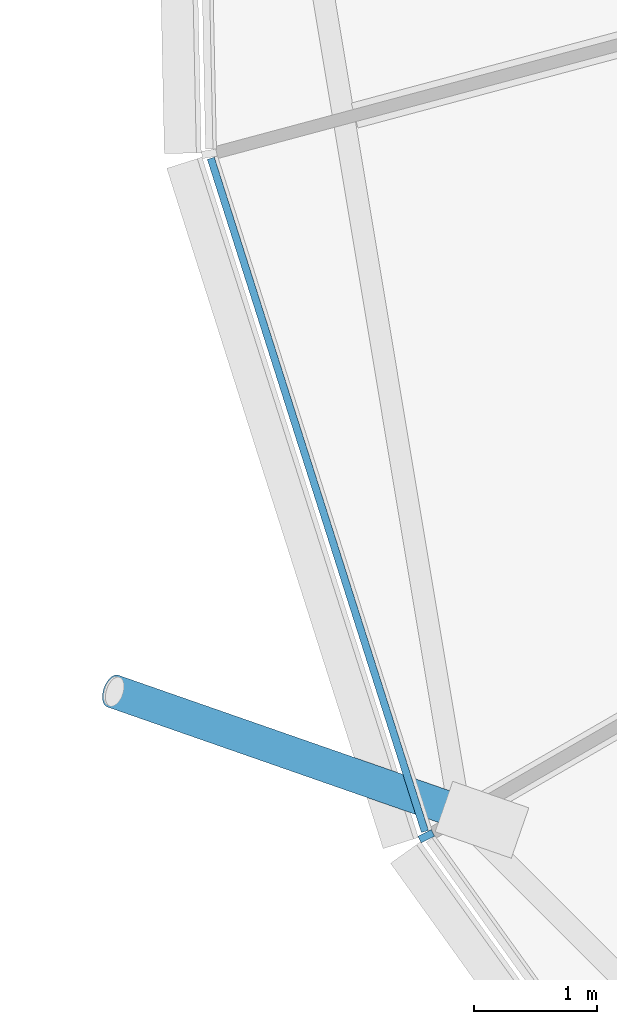
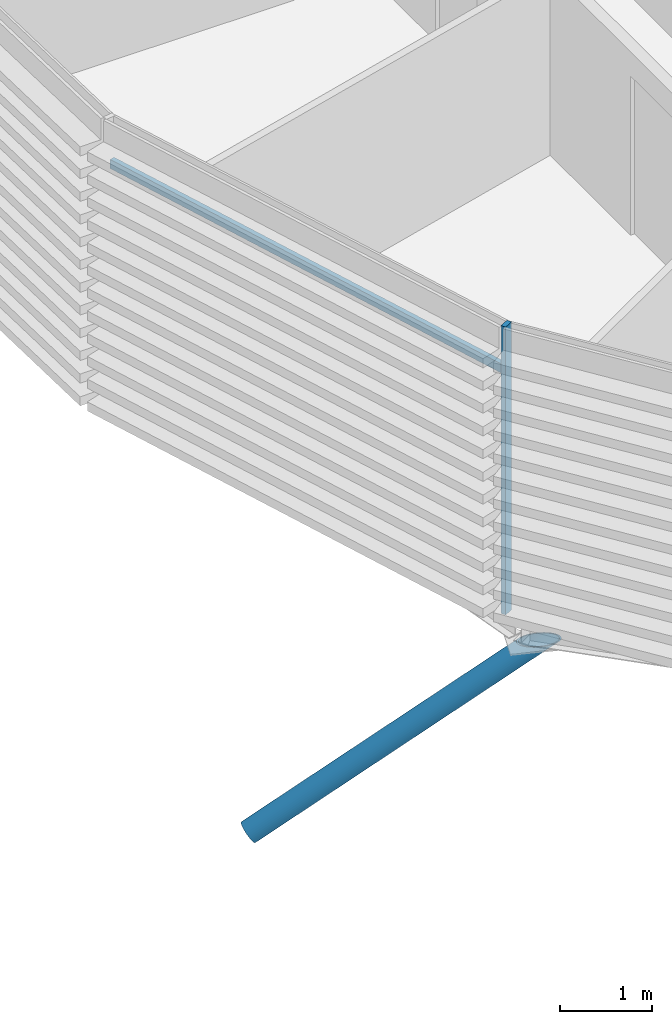
# One storey, part 7 of 38: 3 members, 1 element without a shape of its own.
"""IFC4 building model written with IfcOpenShell, lengths in metres."""

from ifc_helpers import new_model, si_unit, direction, frame, origin, origin_2d, place, context, subcontext, project, spatial, rectangle, hollow_circle, extrude, clip, halfspace, material, material_profile, profile_set, type_object, element, aggregate, save


model = new_model("IFC4")

# Units and contexts
model_context = context("Model", 3, precision=1e-05, world=origin(), true_north=direction((0.0, 1.0)))
body_context = subcontext(model_context, "Body", "Model", "MODEL_VIEW")
ifc_project = project(units=[si_unit("LENGTHUNIT", "METRE"), si_unit("AREAUNIT", "SQUARE_METRE"), si_unit("VOLUMEUNIT", "CUBIC_METRE"), si_unit("PLANEANGLEUNIT", "RADIAN"), si_unit("MASSUNIT", "GRAM", prefix="KILO")], contexts=[model_context])

# Site, building, storey
site_placement = place(None, origin())
site = spatial("IfcSite", under=ifc_project, at=site_placement, CompositionType="ELEMENT")
building_placement = place(site_placement, origin())
building = spatial("IfcBuilding", under=site, at=building_placement, Name="Rimbun Link Towers", CompositionType="ELEMENT")
storey_placement = place(building_placement, frame((0.0, 0.0, 49.0)))
storey = spatial("IfcBuildingStorey", under=building, at=storey_placement, Name="L11", CompositionType="ELEMENT", Elevation=49.0)

# Curtain wall, members
ifc_material_1 = material(Name="Aluminium 6063-T6 and low-iron glass", Category="aluminium")
curtain_wall_type = type_object("IfcCurtainWallType", Name="CW1 unitised vision wall", PredefinedType="NOTDEFINED", material=ifc_material_1)
curtain_wall_placement = place(storey_placement, origin())
curtain_wall = element("IfcCurtainWall", 1, at=curtain_wall_placement, inside=storey, type_object=curtain_wall_type, Name="CW1 L11 T2", PredefinedType="NOTDEFINED")
ifc_material_2 = material(Name="Aluminium 6063-T6", Category="aluminium")
ifc_material_profile_1 = material_profile(ifc_material_2, rectangle(XDim=0.1201171875, YDim=0.06005859375, at=origin_2d()), Name="MULLION 60X120")
ifc_profile_set_1 = profile_set([ifc_material_profile_1], Name="Aluminium 6063-T6")
member_type_1 = type_object("IfcMemberType", Name="CW1 mullion 60X120", PredefinedType="MULLION", material=ifc_profile_set_1)
member_1_placement = place(storey_placement, frame((12.3388671875, -11.203125, 0.0), z_axis=(0.0, 0.0, 1.0), x_axis=(-0.893748819718, -0.44856777331, 0.0)))
member_1 = element("IfcMember", 2, at=member_1_placement, type_object=member_type_1, Name="CW1 mullion", PredefinedType="MULLION", context=body_context, shape_type="SweptSolid", body=[
    extrude(rectangle(XDim=0.1201171875, YDim=0.06005859375, at=origin_2d()), origin(), (0.0, 0.0, 1.0), 3.800048828125),
])
ifc_material_3 = material(Name="Aluminium 6063-T6", Category="aluminium")
ifc_material_profile_2 = material_profile(ifc_material_3, rectangle(XDim=0.06005859375, YDim=0.1201171875, at=origin_2d()), Name="TRANSOM 60X120")
ifc_profile_set_2 = profile_set([ifc_material_profile_2], Name="Aluminium 6063-T6")
member_type_2 = type_object("IfcMemberType", Name="CW1 transom 60X120", PredefinedType="USERDEFINED", material=ifc_profile_set_2)
member_2_placement = place(storey_placement, frame((12.328125, -11.1650390625, 3.199951171875), z_axis=(-0.30308585069, 0.952963255908, 0.0), x_axis=(-0.952963255908, -0.30308585069, 0.0)))
member_2 = element("IfcMember", 3, at=member_2_placement, type_object=member_type_2, Name="CW1 transom", ObjectType="TRANSOM", PredefinedType="USERDEFINED", context=body_context, shape_type="SweptSolid", body=[
    extrude(rectangle(XDim=0.06005859375, YDim=0.1201171875, at=origin_2d()), origin(), (0.0, 0.0, 1.0), 5.731201171875),
])
aggregate(curtain_wall, [member_1, member_2])

# Member
ifc_material_4 = material(Name="Steel S355J2H", Category="steel")
ifc_material_profile_3 = material_profile(ifc_material_4, hollow_circle(Radius=0.136474609375, WallThickness=0.012451171875, at=origin_2d()), Name="CHS 273x12.5")
ifc_profile_set_3 = profile_set([ifc_material_profile_3], Name="Steel S355J2H")
member_type_3 = type_object("IfcMemberType", Name="Floor edge link CHS 273x12.5", PredefinedType="BRACE", material=ifc_profile_set_3)
member_3_placement = place(storey_placement, frame((12.657470703125, -11.023193359375, -0.727294921875), z_axis=(-0.78681255137, 0.274377380328, -0.552849945438), x_axis=(-0.329273602853, -0.944234554793, 0.0)))
element("IfcMember", 4, at=member_3_placement, inside=storey, type_object=member_type_3, Name="Floor edge link T2 L11 11", PredefinedType="BRACE", context=body_context, shape_type="Clipping", body=[
    clip(extrude(hollow_circle(Radius=0.136474609375, WallThickness=0.012451171875, at=origin_2d()), frame((0.0, 0.0, -0.429443359375)), (0.0, 0.0, 1.0), 4.066162109375), halfspace(frame((0.0, 0.0, -0.202392578125), z_axis=(0.0, 0.83328082771, -0.552849945438)), False)),
])

save(model, "model.ifc")
